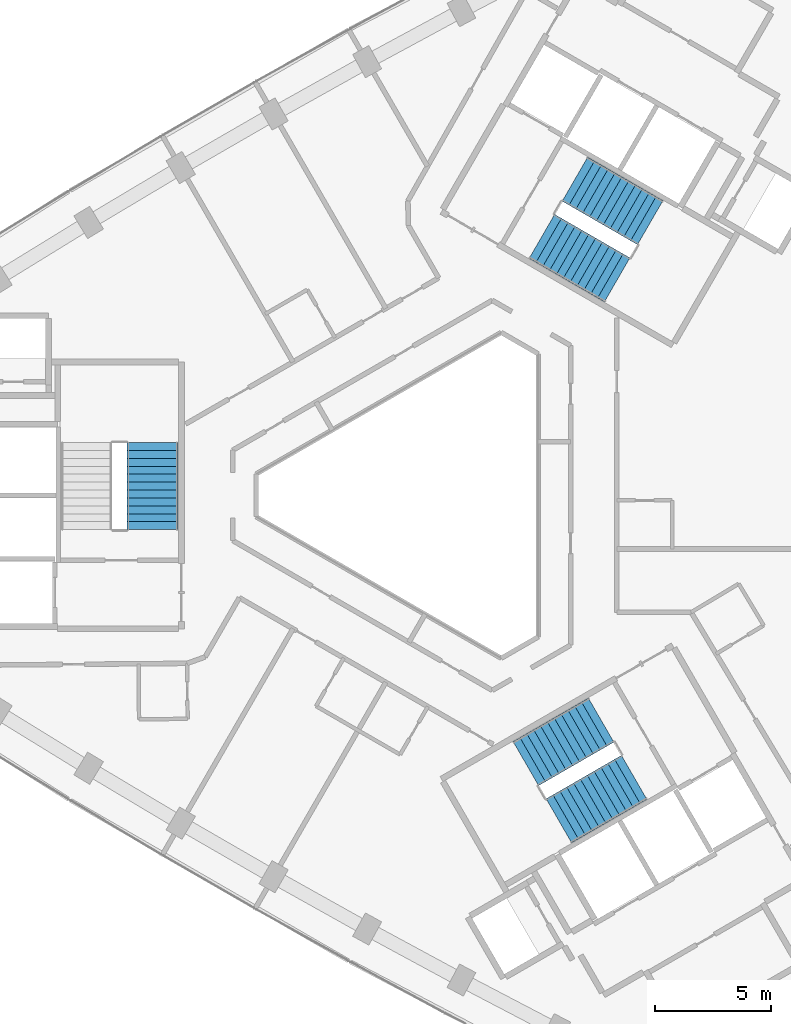
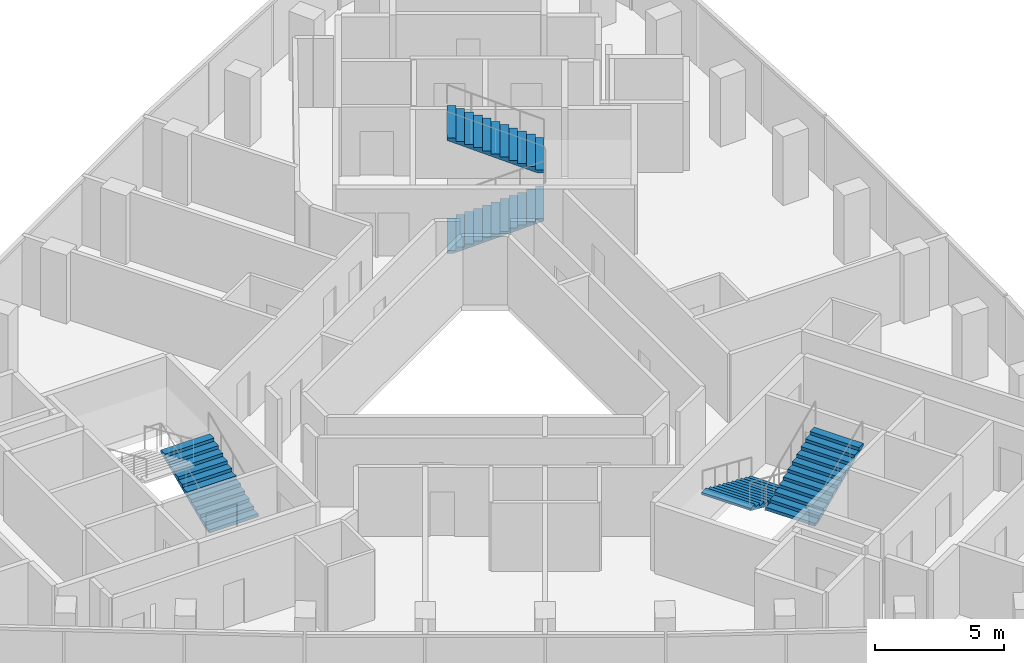
# One storey, part 11 of 12: 5 stair flights, 3 elements without a shape of their own.
"""IFC4 building model written with IfcOpenShell, lengths in metres."""

from ifc_helpers import new_model, si_unit, direction, frame, origin, place, context, subcontext, project, spatial, polyline, outline, extrude, material, type_object, element, aggregate, save


model = new_model("IFC4")

# Units and contexts
model_context = context("Model", 3, precision=1e-05, world=origin(), true_north=direction((0.0, 1.0)))
body_context = subcontext(model_context, "Body", "Model", "MODEL_VIEW")
ifc_project = project(units=[si_unit("LENGTHUNIT", "METRE"), si_unit("AREAUNIT", "SQUARE_METRE"), si_unit("VOLUMEUNIT", "CUBIC_METRE"), si_unit("PLANEANGLEUNIT", "RADIAN"), si_unit("MASSUNIT", "GRAM", prefix="KILO")], contexts=[model_context])

# Site, building, storey
site_placement = place(None, origin())
site = spatial("IfcSite", under=ifc_project, at=site_placement, CompositionType="ELEMENT")
building_placement = place(site_placement, origin())
building = spatial("IfcBuilding", under=site, at=building_placement, Name="Tamra Quay Hotel Tower", CompositionType="ELEMENT")
storey_placement = place(building_placement, frame((0.0, 0.0, 179.199951171875)))
storey = spatial("IfcBuildingStorey", under=building, at=storey_placement, Name="L44", CompositionType="ELEMENT", Elevation=179.199951171875)

# Stair, stair flight
ifc_material_1 = material(Name="Exit stair 2200 24 risers 150.0 going 342")
stair_type = type_object("IfcStairType", Name="Exit stair 2200 24 risers 150.0 going 342", PredefinedType="HALF_TURN_STAIR", material=ifc_material_1)
stair_1_placement = place(storey_placement, origin())
stair_1 = element("IfcStair", 1, at=stair_1_placement, inside=storey, type_object=stair_type, Name="L44 Exit stair ST3", PredefinedType="HALF_TURN_STAIR")
ifc_material_2 = material(Name="Exit stair flight 2200 12 risers 150.0")
stair_flight_type = type_object("IfcStairFlightType", Name="Exit stair flight 2200 12 risers 150.0", PredefinedType="STRAIGHT", material=ifc_material_2)
stair_flight_1_placement = place(storey_placement, frame((-12.082275390625, -1.47998046875, 0.0), z_axis=(0.0, 0.0, 1.0), x_axis=(0.0, 1.0, 0.0)))
stair_flight_1 = element("IfcStairFlight", 2, at=stair_flight_1_placement, type_object=stair_flight_type, Name="ST3 flight 1", NumberOfRisers=12, NumberOfTreads=11, PredefinedType="STRAIGHT", RiserHeight=0.15, TreadLength=0.342, context=body_context, shape_type="SweptSolid", body=[
    extrude(outline(polyline([(0.0, 0.0), (0.0, 0.14990234375), (0.342041015625, 0.14990234375), (0.342041015625, 0.300048828125), (0.68408203125, 0.300048828125), (0.68408203125, 0.449951171875), (1.02587890625, 0.449951171875), (1.02587890625, 0.60009765625), (1.367919921875, 0.60009765625), (1.367919921875, 0.75), (1.7099609375, 0.75), (1.7099609375, 0.89990234375), (2.052001953125, 0.89990234375), (2.052001953125, 1.050048828125), (2.39404296875, 1.050048828125), (2.39404296875, 1.199951171875), (2.736083984375, 1.199951171875), (2.736083984375, 1.35009765625), (3.077880859375, 1.35009765625), (3.077880859375, 1.5), (3.419921875, 1.5), (3.419921875, 1.64990234375), (3.761962890625, 1.64990234375), (3.761962890625, 1.800048828125), (3.761962890625, 1.540771484375), (0.249267578125, 0.0), (0.0, 0.0)])), frame((0.0, 1.10009765625, 0.0), z_axis=(0.0, -1.0, 0.0), x_axis=(1.0, 0.0, 0.0)), (0.0, 0.0, 1.0), 2.199951171875),
])
aggregate(stair_1, [stair_flight_1])

# Stair, stair flights
stair_2_placement = place(storey_placement, origin())
stair_2 = element("IfcStair", 3, at=stair_2_placement, inside=storey, type_object=stair_type, Name="L44 Exit stair ST1", PredefinedType="HALF_TURN_STAIR")
stair_flight_2_placement = place(storey_placement, frame((4.75927734375, 11.20361328125, 0.0), z_axis=(0.0, 0.0, 1.0), x_axis=(0.866025403784, -0.5, 0.0)))
stair_flight_2 = element("IfcStairFlight", 4, at=stair_flight_2_placement, type_object=stair_flight_type, Name="ST1 flight 1", NumberOfRisers=12, NumberOfTreads=11, PredefinedType="STRAIGHT", RiserHeight=0.15, TreadLength=0.342, context=body_context, shape_type="SweptSolid", body=[
    extrude(outline(polyline([(0.0, 0.0), (0.0, 0.14990234375), (0.342041015625, 0.14990234375), (0.342041015625, 0.300048828125), (0.68408203125, 0.300048828125), (0.68408203125, 0.449951171875), (1.02587890625, 0.449951171875), (1.02587890625, 0.60009765625), (1.367919921875, 0.60009765625), (1.367919921875, 0.75), (1.7099609375, 0.75), (1.7099609375, 0.89990234375), (2.052001953125, 0.89990234375), (2.052001953125, 1.050048828125), (2.39404296875, 1.050048828125), (2.39404296875, 1.199951171875), (2.736083984375, 1.199951171875), (2.736083984375, 1.35009765625), (3.077880859375, 1.35009765625), (3.077880859375, 1.5), (3.419921875, 1.5), (3.419921875, 1.64990234375), (3.761962890625, 1.64990234375), (3.761962890625, 1.800048828125), (3.761962890625, 1.540771484375), (0.249267578125, 0.0), (0.0, 0.0)])), frame((0.0, 1.10009765625, 0.0), z_axis=(0.0, -1.0, 0.0), x_axis=(1.0, 0.0, 0.0)), (0.0, 0.0, 1.0), 2.199951171875),
])
stair_flight_3_placement = place(storey_placement, frame((9.44677734375, 11.798583984375, 1.800048828125), z_axis=(0.0, 0.0, 1.0), x_axis=(-0.866025403784, 0.5, 0.0)))
stair_flight_3 = element("IfcStairFlight", 5, at=stair_flight_3_placement, type_object=stair_flight_type, Name="ST1 flight 2", NumberOfRisers=12, NumberOfTreads=11, PredefinedType="STRAIGHT", RiserHeight=0.15, TreadLength=0.342, context=body_context, shape_type="SweptSolid", body=[
    extrude(outline(polyline([(0.0, 0.0), (0.0, 0.14990234375), (0.342041015625, 0.14990234375), (0.342041015625, 0.300048828125), (0.68408203125, 0.300048828125), (0.68408203125, 0.449951171875), (1.02587890625, 0.449951171875), (1.02587890625, 0.60009765625), (1.367919921875, 0.60009765625), (1.367919921875, 0.75), (1.7099609375, 0.75), (1.7099609375, 0.89990234375), (2.052001953125, 0.89990234375), (2.052001953125, 1.050048828125), (2.39404296875, 1.050048828125), (2.39404296875, 1.199951171875), (2.736083984375, 1.199951171875), (2.736083984375, 1.35009765625), (3.077880859375, 1.35009765625), (3.077880859375, 1.5), (3.419921875, 1.5), (3.419921875, 1.64990234375), (3.761962890625, 1.64990234375), (3.761962890625, 1.800048828125), (3.761962890625, 1.540771484375), (0.249267578125, 0.0), (0.0, 0.0)])), frame((0.0, 1.10009765625, 0.0), z_axis=(0.0, -1.0, 0.0), x_axis=(1.0, 0.0, 0.0)), (0.0, 0.0, 1.0), 2.199951171875),
])
aggregate(stair_2, [stair_flight_2, stair_flight_3])

stair_3_placement = place(storey_placement, origin())
stair_3 = element("IfcStair", 6, at=stair_3_placement, inside=storey, type_object=stair_type, Name="L44 Exit stair ST2", PredefinedType="HALF_TURN_STAIR")
stair_flight_4_placement = place(storey_placement, frame((7.322998046875, -9.7236328125, 0.0), z_axis=(0.0, 0.0, 1.0), x_axis=(-0.866025403784, -0.5, 0.0)))
stair_flight_4 = element("IfcStairFlight", 7, at=stair_flight_4_placement, type_object=stair_flight_type, Name="ST2 flight 1", NumberOfRisers=12, NumberOfTreads=11, PredefinedType="STRAIGHT", RiserHeight=0.15, TreadLength=0.342, context=body_context, shape_type="SweptSolid", body=[
    extrude(outline(polyline([(0.0, 0.0), (0.0, 0.14990234375), (0.342041015625, 0.14990234375), (0.342041015625, 0.300048828125), (0.68408203125, 0.300048828125), (0.68408203125, 0.449951171875), (1.02587890625, 0.449951171875), (1.02587890625, 0.60009765625), (1.367919921875, 0.60009765625), (1.367919921875, 0.75), (1.7099609375, 0.75), (1.7099609375, 0.89990234375), (2.052001953125, 0.89990234375), (2.052001953125, 1.050048828125), (2.39404296875, 1.050048828125), (2.39404296875, 1.199951171875), (2.736083984375, 1.199951171875), (2.736083984375, 1.35009765625), (3.077880859375, 1.35009765625), (3.077880859375, 1.5), (3.419921875, 1.5), (3.419921875, 1.64990234375), (3.761962890625, 1.64990234375), (3.761962890625, 1.800048828125), (3.761962890625, 1.540771484375), (0.249267578125, 0.0), (0.0, 0.0)])), frame((0.0, 1.10009765625, 0.0), z_axis=(0.0, -1.0, 0.0), x_axis=(1.0, 0.0, 0.0)), (0.0, 0.0, 1.0), 2.199951171875),
])
stair_flight_5_placement = place(storey_placement, frame((5.494384765625, -14.08056640625, 1.800048828125), z_axis=(0.0, 0.0, 1.0), x_axis=(0.866025403784, 0.5, 0.0)))
stair_flight_5 = element("IfcStairFlight", 8, at=stair_flight_5_placement, type_object=stair_flight_type, Name="ST2 flight 2", NumberOfRisers=12, NumberOfTreads=11, PredefinedType="STRAIGHT", RiserHeight=0.15, TreadLength=0.342, context=body_context, shape_type="SweptSolid", body=[
    extrude(outline(polyline([(0.0, 0.0), (0.0, 0.14990234375), (0.342041015625, 0.14990234375), (0.342041015625, 0.300048828125), (0.68408203125, 0.300048828125), (0.68408203125, 0.449951171875), (1.02587890625, 0.449951171875), (1.02587890625, 0.60009765625), (1.367919921875, 0.60009765625), (1.367919921875, 0.75), (1.7099609375, 0.75), (1.7099609375, 0.89990234375), (2.052001953125, 0.89990234375), (2.052001953125, 1.050048828125), (2.39404296875, 1.050048828125), (2.39404296875, 1.199951171875), (2.736083984375, 1.199951171875), (2.736083984375, 1.35009765625), (3.077880859375, 1.35009765625), (3.077880859375, 1.5), (3.419921875, 1.5), (3.419921875, 1.64990234375), (3.761962890625, 1.64990234375), (3.761962890625, 1.800048828125), (3.761962890625, 1.540771484375), (0.249267578125, 0.0), (0.0, 0.0)])), frame((0.0, 1.10009765625, 0.0), z_axis=(0.0, -1.0, 0.0), x_axis=(1.0, 0.0, 0.0)), (0.0, 0.0, 1.0), 2.199951171875),
])
aggregate(stair_3, [stair_flight_4, stair_flight_5])

save(model, "model.ifc")
